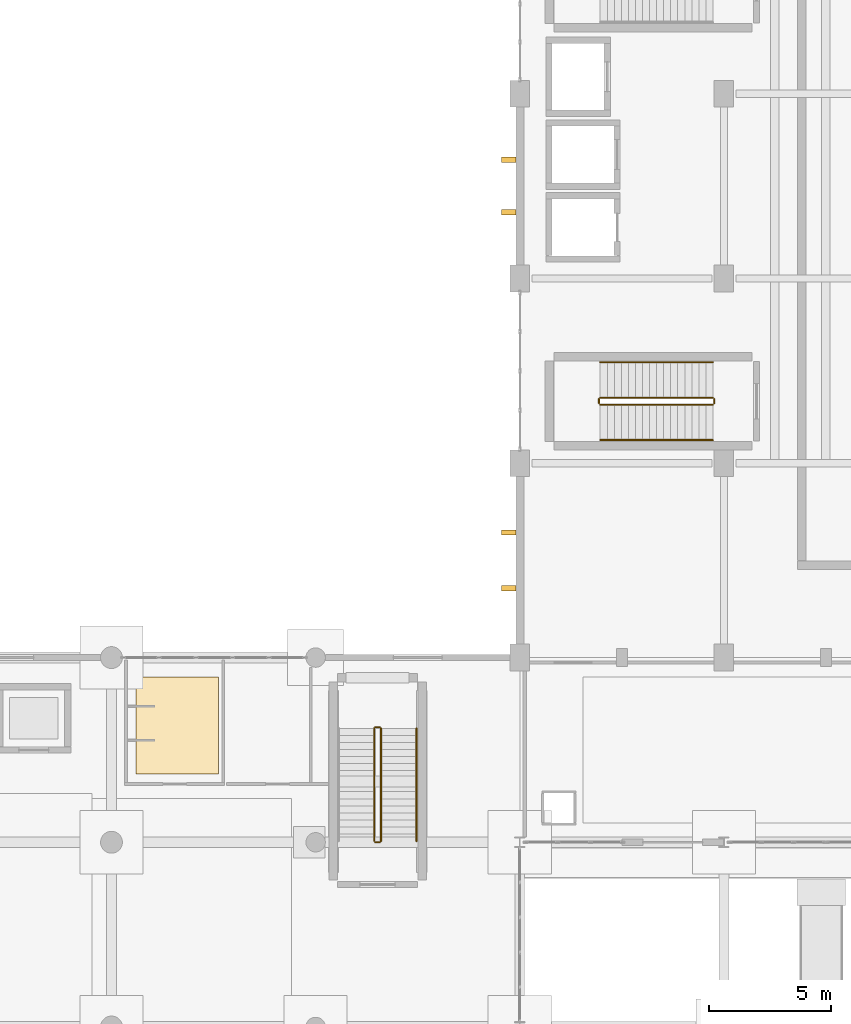
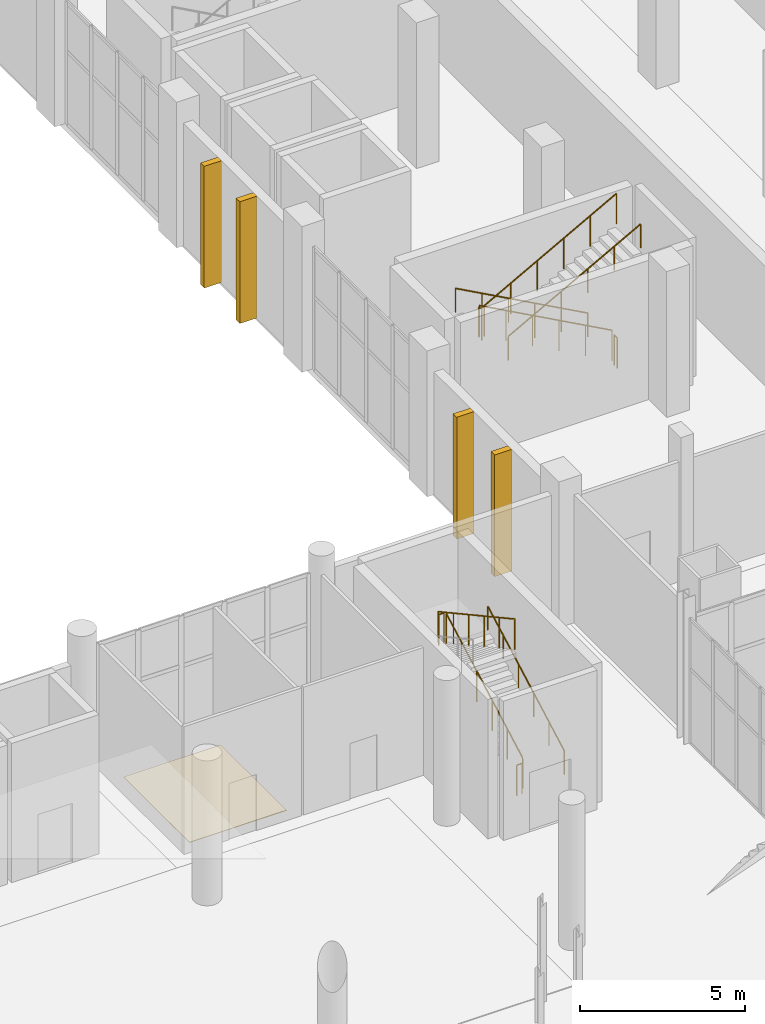
# One storey, part 86 of 95: 11 railings, 4 shading devices, 1 covering.
"""IFC4 building model written with IfcOpenShell, lengths in metres."""

from ifc_helpers import new_model, si_unit, direction, frame, origin, origin_2d, place, context, subcontext, project, spatial, polyline, rectangle, circle, outline, extrude, material, layer, layer_set, type_object, element, save


model = new_model("IFC4")

# Units and contexts
model_context = context("Model", 3, precision=1e-05, world=origin(), true_north=direction((0.0, 1.0)))
body_context = subcontext(model_context, "Body", "Model", "MODEL_VIEW")
ifc_project = project(units=[si_unit("LENGTHUNIT", "METRE"), si_unit("AREAUNIT", "SQUARE_METRE"), si_unit("VOLUMEUNIT", "CUBIC_METRE"), si_unit("PLANEANGLEUNIT", "RADIAN"), si_unit("MASSUNIT", "GRAM", prefix="KILO")], contexts=[model_context])

# Site, building, storey
site_placement = place(None, origin())
site = spatial("IfcSite", under=ifc_project, at=site_placement, CompositionType="ELEMENT")
building_placement = place(site_placement, origin())
building = spatial("IfcBuilding", under=site, at=building_placement, Name="Shengluoqiao Park Theatre", CompositionType="ELEMENT")
storey_placement = place(building_placement, origin())
storey = spatial("IfcBuildingStorey", under=building, at=storey_placement, Name="L00", CompositionType="ELEMENT", Elevation=0.0)

# Shading devices
ifc_material_1 = material(Name="Concrete C45", Category="concrete")
ifc_layer_1 = layer(ifc_material_1, 0.219970703125, Name="Concrete C45")
ifc_layer_set_1 = layer_set([ifc_layer_1], Name="Concrete C45")
shading_device_type = type_object("IfcShadingDeviceType", Name="ENV-FIN-600x220", PredefinedType="USERDEFINED", material=ifc_layer_set_1)
for number, where, z_axis, x_axis, name in (
    (1, (43.949951171875, 78.851318359375, 0.02001953125), (0.0, 0.0, 1.0), (-1.0, 0.0, 0.0), "L00 Vertical Concrete Acoustic Rib 0010"),
    (2, (43.949951171875, 81.148681640625, 0.02001953125), (0.0, 0.0, 1.0), (-1.0, 0.0, 0.0), "L00 Vertical Concrete Acoustic Rib 0011"),
    (3, (43.949951171875, 94.318115234375, 0.02001953125), (0.0, 0.0, 1.0), (-1.0, 0.0, 0.0), "L00 Vertical Concrete Acoustic Rib 0012"),
    (4, (43.949951171875, 96.48193359375, 0.02001953125), (0.0, 0.0, 1.0), (-1.0, 0.0, 0.0), "L00 Vertical Concrete Acoustic Rib 0013"),
):
    element("IfcShadingDevice", number, at=place(storey_placement, frame(where, z_axis=z_axis, x_axis=x_axis)), inside=storey, type_object=shading_device_type, Name=name, ObjectType="FIN", PredefinedType="USERDEFINED", context=body_context, shape_type="SweptSolid", body=[
        extrude(rectangle(XDim=0.60009765625, YDim=0.219970703125, at=origin_2d()), origin(), (0.0, 0.0, 1.0), 4.510009765625),
    ])

# Covering
ifc_material_2 = material(Name="Slip-resistant porcelain tile")
ifc_layer_2 = layer(ifc_material_2, 0.02001953125, Name="Slip-resistant porcelain tile")
ifc_layer_set_2 = layer_set([ifc_layer_2], Name="Slip-resistant porcelain tile")
covering_type = type_object("IfcCoveringType", Name="INT-COV-FLR4", PredefinedType="FLOORING", material=ifc_layer_set_2)
covering_placement = place(storey_placement, origin())
element("IfcCovering", 5, at=covering_placement, inside=storey, type_object=covering_type, Name="Main Foyer Male WC Porcelain Tile", PredefinedType="FLOORING", context=body_context, shape_type="SweptSolid", body=[
    extrude(outline(polyline([(28.60009765625, 71.199951171875), (32.0, 71.199951171875), (32.0, 75.199951171875), (28.60009765625, 75.199951171875), (28.60009765625, 71.199951171875)])), origin(), (0.0, 0.0, 1.0), 0.02001953125),
])

# Railings
ifc_material_3 = material(Name="Painted steel", Category="steel")
railing_type_1 = type_object("IfcRailingType", Name="INT-RL-STGRD", PredefinedType="GUARDRAIL", material=ifc_material_3)
railing_1_placement = place(storey_placement, frame((38.68994140625, 68.449951171875, 0.158935546875)))
element("IfcRailing", 6, at=railing_1_placement, inside=storey, type_object=railing_type_1, Name="L00 ST-01 stair guard 1", PredefinedType="GUARDRAIL", context=body_context, shape_type="SweptSolid", body=[
    extrude(circle(Radius=0.02392578125, at=origin_2d()), frame((0.0, 0.0, 1.1259765625), z_axis=(0.0, 0.877097193626, 0.480312932298), x_axis=(-1.0, 0.0, 0.0)), (0.0, 0.0, 1.0), 5.290283203125),
    extrude(circle(Radius=0.02099609375, at=origin_2d()), origin(), (0.0, 0.0, 1.0), 1.101806640625),
    extrude(circle(Radius=0.02099609375, at=origin_2d()), frame((0.0, 0.927978515625, 0.50830078125)), (0.0, 0.0, 1.0), 1.101806640625),
    extrude(circle(Radius=0.02099609375, at=origin_2d()), frame((0.0, 1.85595703125, 1.016357421875)), (0.0, 0.0, 1.0), 1.101806640625),
    extrude(circle(Radius=0.02099609375, at=origin_2d()), frame((0.0, 2.7841796875, 1.524658203125)), (0.0, 0.0, 1.0), 1.101806640625),
    extrude(circle(Radius=0.02099609375, at=origin_2d()), frame((0.0, 3.712158203125, 2.03271484375)), (0.0, 0.0, 1.0), 1.101806640625),
    extrude(circle(Radius=0.02099609375, at=origin_2d()), frame((0.0, 4.64013671875, 2.541015625)), (0.0, 0.0, 1.0), 1.101806640625),
])
railing_2_placement = place(storey_placement, frame((38.639892578125, 73.139892578125, 2.699951171875)))
element("IfcRailing", 7, at=railing_2_placement, inside=storey, type_object=railing_type_1, Name="L00 ST-01 stair guard 2", PredefinedType="GUARDRAIL", context=body_context, shape_type="SweptSolid", body=[
    extrude(circle(Radius=0.02392578125, at=origin_2d()), frame((0.0, 0.0, 1.1259765625), z_axis=(-1.0, 0.0, 0.0), x_axis=(0.0, -1.0, 0.0)), (0.0, 0.0, 1.0), 0.179931640625),
    extrude(circle(Radius=0.02099609375, at=origin_2d()), origin(), (0.0, 0.0, 1.0), 1.101806640625),
    extrude(circle(Radius=0.02099609375, at=origin_2d()), frame((-0.179931640625, 0.0, 0.0)), (0.0, 0.0, 1.0), 1.101806640625),
])
railing_3_placement = place(storey_placement, frame((38.409912109375, 73.090087890625, 2.85888671875)))
element("IfcRailing", 8, at=railing_3_placement, inside=storey, type_object=railing_type_1, Name="L00 ST-01 stair guard 3", PredefinedType="GUARDRAIL", context=body_context, shape_type="SweptSolid", body=[
    extrude(circle(Radius=0.02392578125, at=origin_2d()), frame((0.0, 0.0, 1.1259765625), z_axis=(0.0, -0.877097193626, 0.480312932298), x_axis=(1.0, 0.0, 0.0)), (0.0, 0.0, 1.0), 5.290283203125),
    extrude(circle(Radius=0.02099609375, at=origin_2d()), origin(), (0.0, 0.0, 1.0), 1.101806640625),
    extrude(circle(Radius=0.02099609375, at=origin_2d()), frame((0.0, -0.927978515625, 0.50830078125)), (0.0, 0.0, 1.0), 1.101806640625),
    extrude(circle(Radius=0.02099609375, at=origin_2d()), frame((0.0, -1.85595703125, 1.016357421875)), (0.0, 0.0, 1.0), 1.101806640625),
    extrude(circle(Radius=0.02099609375, at=origin_2d()), frame((0.0, -2.7841796875, 1.524658203125)), (0.0, 0.0, 1.0), 1.101806640625),
    extrude(circle(Radius=0.02099609375, at=origin_2d()), frame((0.0, -3.712158203125, 2.03271484375)), (0.0, 0.0, 1.0), 1.101806640625),
    extrude(circle(Radius=0.02099609375, at=origin_2d()), frame((0.0, -4.64013671875, 2.541015625)), (0.0, 0.0, 1.0), 1.101806640625),
])
railing_4_placement = place(storey_placement, frame((38.639892578125, 68.39990234375, 0.0)))
element("IfcRailing", 9, at=railing_4_placement, inside=storey, type_object=railing_type_1, Name="L00 ST-01 stair guard 4", PredefinedType="GUARDRAIL", context=body_context, shape_type="SweptSolid", body=[
    extrude(circle(Radius=0.02392578125, at=origin_2d()), frame((0.0, 0.0, 1.1259765625), z_axis=(-1.0, 0.0, 0.0), x_axis=(0.0, -1.0, 0.0)), (0.0, 0.0, 1.0), 0.179931640625),
    extrude(circle(Radius=0.02099609375, at=origin_2d()), origin(), (0.0, 0.0, 1.0), 1.101806640625),
    extrude(circle(Radius=0.02099609375, at=origin_2d()), frame((-0.179931640625, 0.0, 0.0)), (0.0, 0.0, 1.0), 1.101806640625),
])
railing_5_placement = place(storey_placement, frame((52.35009765625, 86.68994140625, 0.158935546875)))
element("IfcRailing", 10, at=railing_5_placement, inside=storey, type_object=railing_type_1, Name="L00 ST-02 stair guard 1", PredefinedType="GUARDRAIL", context=body_context, shape_type="SweptSolid", body=[
    extrude(circle(Radius=0.02392578125, at=origin_2d()), frame((0.0, 0.0, 1.1259765625), z_axis=(-0.877097193626, 0.0, 0.480312932298), x_axis=(0.0, -1.0, 0.0)), (0.0, 0.0, 1.0), 5.290283203125),
    extrude(circle(Radius=0.02099609375, at=origin_2d()), origin(), (0.0, 0.0, 1.0), 1.101806640625),
    extrude(circle(Radius=0.02099609375, at=origin_2d()), frame((-0.927978515625, 0.0, 0.50830078125)), (0.0, 0.0, 1.0), 1.101806640625),
    extrude(circle(Radius=0.02099609375, at=origin_2d()), frame((-1.85595703125, 0.0, 1.016357421875)), (0.0, 0.0, 1.0), 1.101806640625),
    extrude(circle(Radius=0.02099609375, at=origin_2d()), frame((-2.7841796875, 0.0, 1.524658203125)), (0.0, 0.0, 1.0), 1.101806640625),
    extrude(circle(Radius=0.02099609375, at=origin_2d()), frame((-3.712158203125, 0.0, 2.03271484375)), (0.0, 0.0, 1.0), 1.101806640625),
    extrude(circle(Radius=0.02099609375, at=origin_2d()), frame((-4.64013671875, 0.0, 2.541015625)), (0.0, 0.0, 1.0), 1.101806640625),
])
railing_6_placement = place(storey_placement, frame((47.659912109375, 86.639892578125, 2.699951171875)))
element("IfcRailing", 11, at=railing_6_placement, inside=storey, type_object=railing_type_1, Name="L00 ST-02 stair guard 2", PredefinedType="GUARDRAIL", context=body_context, shape_type="SweptSolid", body=[
    extrude(circle(Radius=0.02392578125, at=origin_2d()), frame((0.0, 0.0, 1.1259765625), z_axis=(0.0, -1.0, 0.0), x_axis=(1.0, 0.0, 0.0)), (0.0, 0.0, 1.0), 0.179931640625),
    extrude(circle(Radius=0.02099609375, at=origin_2d()), origin(), (0.0, 0.0, 1.0), 1.101806640625),
    extrude(circle(Radius=0.02099609375, at=origin_2d()), frame((0.0, -0.179931640625, 0.0)), (0.0, 0.0, 1.0), 1.101806640625),
])
railing_7_placement = place(storey_placement, frame((47.7099609375, 86.409912109375, 2.85888671875)))
element("IfcRailing", 12, at=railing_7_placement, inside=storey, type_object=railing_type_1, Name="L00 ST-02 stair guard 3", PredefinedType="GUARDRAIL", context=body_context, shape_type="SweptSolid", body=[
    extrude(circle(Radius=0.02392578125, at=origin_2d()), frame((0.0, 0.0, 1.1259765625), z_axis=(0.877097193626, 0.0, 0.480312932298), x_axis=(0.0, 1.0, 0.0)), (0.0, 0.0, 1.0), 5.290283203125),
    extrude(circle(Radius=0.02099609375, at=origin_2d()), origin(), (0.0, 0.0, 1.0), 1.101806640625),
    extrude(circle(Radius=0.02099609375, at=origin_2d()), frame((0.927978515625, 0.0, 0.50830078125)), (0.0, 0.0, 1.0), 1.101806640625),
    extrude(circle(Radius=0.02099609375, at=origin_2d()), frame((1.85595703125, 0.0, 1.016357421875)), (0.0, 0.0, 1.0), 1.101806640625),
    extrude(circle(Radius=0.02099609375, at=origin_2d()), frame((2.7841796875, 0.0, 1.524658203125)), (0.0, 0.0, 1.0), 1.101806640625),
    extrude(circle(Radius=0.02099609375, at=origin_2d()), frame((3.712158203125, 0.0, 2.03271484375)), (0.0, 0.0, 1.0), 1.101806640625),
    extrude(circle(Radius=0.02099609375, at=origin_2d()), frame((4.64013671875, 0.0, 2.541015625)), (0.0, 0.0, 1.0), 1.101806640625),
])
railing_8_placement = place(storey_placement, frame((52.39990234375, 86.639892578125, 0.0)))
element("IfcRailing", 13, at=railing_8_placement, inside=storey, type_object=railing_type_1, Name="L00 ST-02 stair guard 4", PredefinedType="GUARDRAIL", context=body_context, shape_type="SweptSolid", body=[
    extrude(circle(Radius=0.02392578125, at=origin_2d()), frame((0.0, 0.0, 1.1259765625), z_axis=(0.0, -1.0, 0.0), x_axis=(1.0, 0.0, 0.0)), (0.0, 0.0, 1.0), 0.179931640625),
    extrude(circle(Radius=0.02099609375, at=origin_2d()), origin(), (0.0, 0.0, 1.0), 1.101806640625),
    extrude(circle(Radius=0.02099609375, at=origin_2d()), frame((0.0, -0.179931640625, 0.0)), (0.0, 0.0, 1.0), 1.101806640625),
])
ifc_material_4 = material(Name="Stainless steel 304", Category="steel")
railing_type_2 = type_object("IfcRailingType", Name="INT-RL-STHR", PredefinedType="HANDRAIL", material=ifc_material_4)
railing_9_placement = place(storey_placement, frame((40.14990234375, 68.449951171875, 0.158935546875)))
element("IfcRailing", 14, at=railing_9_placement, inside=storey, type_object=railing_type_2, Name="L00 ST-01 stair handrail 1", PredefinedType="HANDRAIL", context=body_context, shape_type="SweptSolid", body=[
    extrude(circle(Radius=0.02392578125, at=origin_2d()), frame((0.0, 0.0, 0.8759765625), z_axis=(0.0, 0.877097193626, 0.480312932298), x_axis=(-1.0, 0.0, 0.0)), (0.0, 0.0, 1.0), 5.290283203125),
    extrude(circle(Radius=0.02099609375, at=origin_2d()), origin(), (0.0, 0.0, 1.0), 0.851806640625),
    extrude(circle(Radius=0.02099609375, at=origin_2d()), frame((0.0, 0.927978515625, 0.50830078125)), (0.0, 0.0, 1.0), 0.851806640625),
    extrude(circle(Radius=0.02099609375, at=origin_2d()), frame((0.0, 1.85595703125, 1.016357421875)), (0.0, 0.0, 1.0), 0.851806640625),
    extrude(circle(Radius=0.02099609375, at=origin_2d()), frame((0.0, 2.7841796875, 1.524658203125)), (0.0, 0.0, 1.0), 0.851806640625),
    extrude(circle(Radius=0.02099609375, at=origin_2d()), frame((0.0, 3.712158203125, 2.03271484375)), (0.0, 0.0, 1.0), 0.851806640625),
    extrude(circle(Radius=0.02099609375, at=origin_2d()), frame((0.0, 4.64013671875, 2.541015625)), (0.0, 0.0, 1.0), 0.851806640625),
])
railing_10_placement = place(storey_placement, frame((52.35009765625, 88.14990234375, 0.158935546875)))
element("IfcRailing", 15, at=railing_10_placement, inside=storey, type_object=railing_type_2, Name="L00 ST-02 stair handrail 1", PredefinedType="HANDRAIL", context=body_context, shape_type="SweptSolid", body=[
    extrude(circle(Radius=0.02392578125, at=origin_2d()), frame((0.0, 0.0, 0.8759765625), z_axis=(-0.877097193626, 0.0, 0.480312932298), x_axis=(0.0, -1.0, 0.0)), (0.0, 0.0, 1.0), 5.290283203125),
    extrude(circle(Radius=0.02099609375, at=origin_2d()), origin(), (0.0, 0.0, 1.0), 0.851806640625),
    extrude(circle(Radius=0.02099609375, at=origin_2d()), frame((-0.927978515625, 0.0, 0.50830078125)), (0.0, 0.0, 1.0), 0.851806640625),
    extrude(circle(Radius=0.02099609375, at=origin_2d()), frame((-1.85595703125, 0.0, 1.016357421875)), (0.0, 0.0, 1.0), 0.851806640625),
    extrude(circle(Radius=0.02099609375, at=origin_2d()), frame((-2.7841796875, 0.0, 1.524658203125)), (0.0, 0.0, 1.0), 0.851806640625),
    extrude(circle(Radius=0.02099609375, at=origin_2d()), frame((-3.712158203125, 0.0, 2.03271484375)), (0.0, 0.0, 1.0), 0.851806640625),
    extrude(circle(Radius=0.02099609375, at=origin_2d()), frame((-4.64013671875, 0.0, 2.541015625)), (0.0, 0.0, 1.0), 0.851806640625),
])
railing_11_placement = place(storey_placement, frame((47.7099609375, 84.949951171875, 2.85888671875)))
element("IfcRailing", 16, at=railing_11_placement, inside=storey, type_object=railing_type_2, Name="L00 ST-02 stair handrail 2", PredefinedType="HANDRAIL", context=body_context, shape_type="SweptSolid", body=[
    extrude(circle(Radius=0.02392578125, at=origin_2d()), frame((0.0, 0.0, 0.8759765625), z_axis=(0.877097193626, 0.0, 0.480312932298), x_axis=(0.0, 1.0, 0.0)), (0.0, 0.0, 1.0), 5.290283203125),
    extrude(circle(Radius=0.02099609375, at=origin_2d()), origin(), (0.0, 0.0, 1.0), 0.851806640625),
    extrude(circle(Radius=0.02099609375, at=origin_2d()), frame((0.927978515625, 0.0, 0.50830078125)), (0.0, 0.0, 1.0), 0.851806640625),
    extrude(circle(Radius=0.02099609375, at=origin_2d()), frame((1.85595703125, 0.0, 1.016357421875)), (0.0, 0.0, 1.0), 0.851806640625),
    extrude(circle(Radius=0.02099609375, at=origin_2d()), frame((2.7841796875, 0.0, 1.524658203125)), (0.0, 0.0, 1.0), 0.851806640625),
    extrude(circle(Radius=0.02099609375, at=origin_2d()), frame((3.712158203125, 0.0, 2.03271484375)), (0.0, 0.0, 1.0), 0.851806640625),
    extrude(circle(Radius=0.02099609375, at=origin_2d()), frame((4.64013671875, 0.0, 2.541015625)), (0.0, 0.0, 1.0), 0.851806640625),
])

save(model, "model.ifc")
